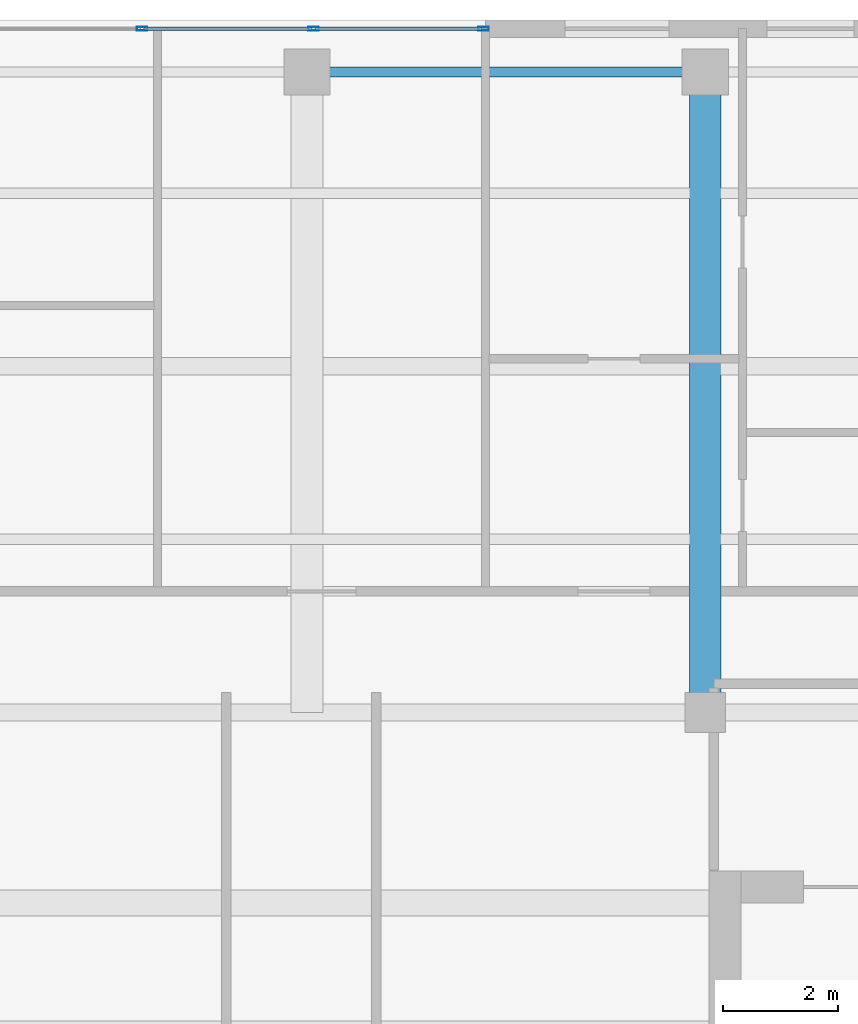
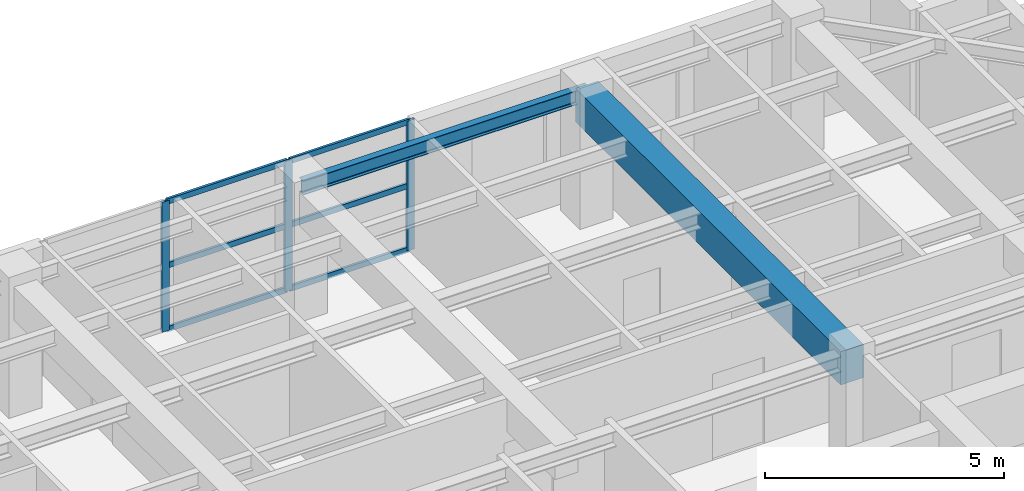
# One storey, part 15 of 21: 9 members, 2 beams, 1 element without a shape of its own.
"""IFC4 building model written with IfcOpenShell, lengths in metres."""

from ifc_helpers import new_model, si_unit, direction, frame, origin, origin_2d, place, context, subcontext, project, spatial, rectangle, hollow_rectangle, i_section, extrude, source, transform, mapped, material, layer, layer_set, material_profile, profile_set, type_object, element, aggregate, save


model = new_model("IFC4")

# Units and contexts
model_context = context("Model", 3, precision=1e-05, world=origin(), true_north=direction((0.0, 1.0)))
body_context = subcontext(model_context, "Body", "Model", "MODEL_VIEW")
ifc_project = project(units=[si_unit("LENGTHUNIT", "METRE"), si_unit("AREAUNIT", "SQUARE_METRE"), si_unit("VOLUMEUNIT", "CUBIC_METRE"), si_unit("PLANEANGLEUNIT", "RADIAN"), si_unit("MASSUNIT", "GRAM", prefix="KILO")], contexts=[model_context])

# Site, building, storey
site_placement = place(None, origin())
site = spatial("IfcSite", under=ifc_project, at=site_placement, CompositionType="ELEMENT")
building_placement = place(site_placement, origin())
building = spatial("IfcBuilding", under=site, at=building_placement, Name="Khoralis Quay Care Tower", CompositionType="ELEMENT")
storey_placement = place(building_placement, frame((0.0, 0.0, 267.300048828125)))
storey = spatial("IfcBuildingStorey", under=building, at=storey_placement, Name="L70", CompositionType="ELEMENT", Elevation=267.300048828125)

# Beams
ifc_material_1 = material(Name="Concrete C50/60", Category="concrete")
ifc_material_profile_1 = material_profile(ifc_material_1, rectangle(XDim=0.550048828125, YDim=0.85009765625, at=origin_2d()), Name="Concrete C50/60")
ifc_profile_set_1 = profile_set([ifc_material_profile_1], Name="Concrete C50/60")
beam_type_1 = type_object("IfcBeamType", Name="BM-RC550X850", PredefinedType="BEAM", material=ifc_profile_set_1)
shared_shape_1 = source(origin(), body_context, "Body", "SweptSolid", [
    extrude(rectangle(XDim=0.550048828125, YDim=0.85009765625, at=origin_2d()), origin(), (0.0, 0.0, 1.0), 11.10009765625),
])
beam_1_placement = place(storey_placement, frame((30.89990234375, 30.0, 2.89501953125), z_axis=(0.0, 1.0, 0.0), x_axis=(-1.0, 0.0, 0.0)))
element("IfcBeam", 1, at=beam_1_placement, inside=storey, type_object=beam_type_1, Name="BM-TGYN-L70-309", PredefinedType="BEAM", context=body_context, shape_type="MappedRepresentation", body=[
    mapped(shared_shape_1, transform((0.0, 0.0, 0.0), scale=1.0)),
])
ifc_material_2 = material(Name="Steel S355", Category="steel")
ifc_material_profile_2 = material_profile(ifc_material_2, i_section(OverallWidth=0.169921875, OverallDepth=0.360107421875, WebThickness=0.008056640625, FlangeThickness=0.0126953125, FilletRadius=0.01806640625, at=origin_2d()), Name="Steel S355")
ifc_profile_set_2 = profile_set([ifc_material_profile_2], Name="Steel S355")
beam_type_2 = type_object("IfcBeamType", Name="BM-IPE360", PredefinedType="SPANDREL", material=ifc_profile_set_2)
shared_shape_2 = source(origin(), body_context, "Body", "SweptSolid", [
    extrude(i_section(OverallWidth=0.169921875, OverallDepth=0.360107421875, WebThickness=0.008056640625, FlangeThickness=0.0126953125, FilletRadius=0.01806640625, at=origin_2d()), origin(), (0.0, 0.0, 1.0), 6.89990234375),
])
beam_2_placement = place(storey_placement, frame((24.0, 41.10009765625, 3.139892578125), z_axis=(1.0, 0.0, 0.0), x_axis=(0.0, 1.0, 0.0)))
element("IfcBeam", 2, at=beam_2_placement, inside=storey, type_object=beam_type_2, Name="BM-TSP-L70-07", PredefinedType="SPANDREL", context=body_context, shape_type="MappedRepresentation", body=[
    mapped(shared_shape_2, transform((0.0, 0.0, 0.0), scale=1.0)),
])

# Curtain wall, members
ifc_material_3 = material(Name="Pale anodised aluminium", Category="aluminium")
ifc_layer = layer(ifc_material_3, 0.159912109375)
ifc_layer_set = layer_set([ifc_layer], Name="Pale anodised aluminium")
curtain_wall_type = type_object("IfcCurtainWallType", Name="CW-SYS-Z3", PredefinedType="NOTDEFINED", material=ifc_layer_set)
curtain_wall_placement = place(storey_placement, origin())
curtain_wall = element("IfcCurtainWall", 3, at=curtain_wall_placement, inside=storey, type_object=curtain_wall_type, Name="L70 Unitised Curtain Wall CW-L70-P1-E10", PredefinedType="NOTDEFINED")
ifc_material_profile_3 = material_profile(ifc_material_3, hollow_rectangle(XDim=0.06494140625, YDim=0.179931640625, WallThickness=0.00390625, at=origin_2d()), Name="Pale anodised aluminium")
ifc_profile_set_3 = profile_set([ifc_material_profile_3], Name="Pale anodised aluminium")
member_type_1 = type_object("IfcMemberType", Name="CW-MUL-180", PredefinedType="MULLION", material=ifc_profile_set_3)
shared_shape_3 = source(origin(), body_context, "Body", "SweptSolid", [
    extrude(hollow_rectangle(XDim=0.06494140625, YDim=0.179931640625, WallThickness=0.00390625, at=origin_2d()), origin(), (0.0, 0.0, 1.0), 3.320068359375),
])
member_1_placement = place(storey_placement, frame((27.06005859375, 41.85009765625, 0.0), z_axis=(0.0, 0.0, 1.0), x_axis=(0.0, -1.0, 0.0)))
member_1 = element("IfcMember", 4, at=member_1_placement, type_object=member_type_1, Name="CW3 mullion 1", PredefinedType="MULLION", context=body_context, shape_type="MappedRepresentation", body=[
    mapped(shared_shape_3, transform((0.0, 0.0, 0.0), scale=1.0)),
])
member_2_placement = place(storey_placement, frame((24.11572265625, 41.85009765625, 0.0), z_axis=(0.0, 0.0, 1.0), x_axis=(0.0, -1.0, 0.0)))
member_2 = element("IfcMember", 5, at=member_2_placement, type_object=member_type_1, Name="CW3 mullion 2", PredefinedType="MULLION", context=body_context, shape_type="MappedRepresentation", body=[
    mapped(shared_shape_3, transform((0.0, 0.0, 0.0), scale=1.0)),
])
member_3_placement = place(storey_placement, frame((21.141357421875, 41.85009765625, 0.0), z_axis=(0.0, 0.0, 1.0), x_axis=(0.0, -1.0, 0.0)))
member_3 = element("IfcMember", 6, at=member_3_placement, type_object=member_type_1, Name="CW3 mullion 3", PredefinedType="MULLION", context=body_context, shape_type="MappedRepresentation", body=[
    mapped(shared_shape_3, transform((0.0, 0.0, 0.0), scale=1.0)),
])
ifc_material_profile_4 = material_profile(ifc_material_3, hollow_rectangle(XDim=0.06005859375, YDim=0.139892578125, WallThickness=0.00390625, at=origin_2d()), Name="Pale anodised aluminium")
ifc_profile_set_4 = profile_set([ifc_material_profile_4], Name="Pale anodised aluminium")
member_type_2 = type_object("IfcMemberType", Name="CW-TRN-140", PredefinedType="USERDEFINED", material=ifc_profile_set_4)
shared_shape_4 = source(origin(), body_context, "Body", "SweptSolid", [
    extrude(hollow_rectangle(XDim=0.06005859375, YDim=0.139892578125, WallThickness=0.00390625, at=origin_2d()), origin(), (0.0, 0.0, 1.0), 2.88427734375),
])
member_4_placement = place(storey_placement, frame((27.030029296875, 41.85009765625, 0.030029296875), z_axis=(-1.0, 0.0, 0.0), x_axis=(0.0, -1.0, 0.0)))
member_4 = element("IfcMember", 7, at=member_4_placement, type_object=member_type_2, Name="CW3 transom 1.1", ObjectType="TRANSOM", PredefinedType="USERDEFINED", context=body_context, shape_type="MappedRepresentation", body=[
    mapped(shared_shape_4, transform((0.0, 0.0, 0.0), scale=1.0)),
])
member_5_placement = place(storey_placement, frame((27.030029296875, 41.85009765625, 1.659912109375), z_axis=(-1.0, 0.0, 0.0), x_axis=(0.0, -1.0, 0.0)))
member_5 = element("IfcMember", 8, at=member_5_placement, type_object=member_type_2, Name="CW3 transom 1.2", ObjectType="TRANSOM", PredefinedType="USERDEFINED", context=body_context, shape_type="MappedRepresentation", body=[
    mapped(shared_shape_4, transform((0.0, 0.0, 0.0), scale=1.0)),
])
member_6_placement = place(storey_placement, frame((27.030029296875, 41.85009765625, 3.2900390625), z_axis=(-1.0, 0.0, 0.0), x_axis=(0.0, -1.0, 0.0)))
member_6 = element("IfcMember", 9, at=member_6_placement, type_object=member_type_2, Name="CW3 transom 1.3", ObjectType="TRANSOM", PredefinedType="USERDEFINED", context=body_context, shape_type="MappedRepresentation", body=[
    mapped(shared_shape_4, transform((0.0, 0.0, 0.0), scale=1.0)),
])
shared_shape_5 = source(origin(), body_context, "Body", "SweptSolid", [
    extrude(hollow_rectangle(XDim=0.06005859375, YDim=0.139892578125, WallThickness=0.00390625, at=origin_2d()), origin(), (0.0, 0.0, 1.0), 2.914306640625),
])
member_7_placement = place(storey_placement, frame((24.085693359375, 41.85009765625, 0.030029296875), z_axis=(-1.0, 0.0, 0.0), x_axis=(0.0, -1.0, 0.0)))
member_7 = element("IfcMember", 10, at=member_7_placement, type_object=member_type_2, Name="CW3 transom 2.1", ObjectType="TRANSOM", PredefinedType="USERDEFINED", context=body_context, shape_type="MappedRepresentation", body=[
    mapped(shared_shape_5, transform((0.0, 0.0, 0.0), scale=1.0)),
])
member_8_placement = place(storey_placement, frame((24.085693359375, 41.85009765625, 1.659912109375), z_axis=(-1.0, 0.0, 0.0), x_axis=(0.0, -1.0, 0.0)))
member_8 = element("IfcMember", 11, at=member_8_placement, type_object=member_type_2, Name="CW3 transom 2.2", ObjectType="TRANSOM", PredefinedType="USERDEFINED", context=body_context, shape_type="MappedRepresentation", body=[
    mapped(shared_shape_5, transform((0.0, 0.0, 0.0), scale=1.0)),
])
member_9_placement = place(storey_placement, frame((24.085693359375, 41.85009765625, 3.2900390625), z_axis=(-1.0, 0.0, 0.0), x_axis=(0.0, -1.0, 0.0)))
member_9 = element("IfcMember", 12, at=member_9_placement, type_object=member_type_2, Name="CW3 transom 2.3", ObjectType="TRANSOM", PredefinedType="USERDEFINED", context=body_context, shape_type="MappedRepresentation", body=[
    mapped(shared_shape_5, transform((0.0, 0.0, 0.0), scale=1.0)),
])
aggregate(curtain_wall, [member_1, member_2, member_3, member_4, member_5, member_6, member_7, member_8, member_9])

save(model, "model.ifc")
